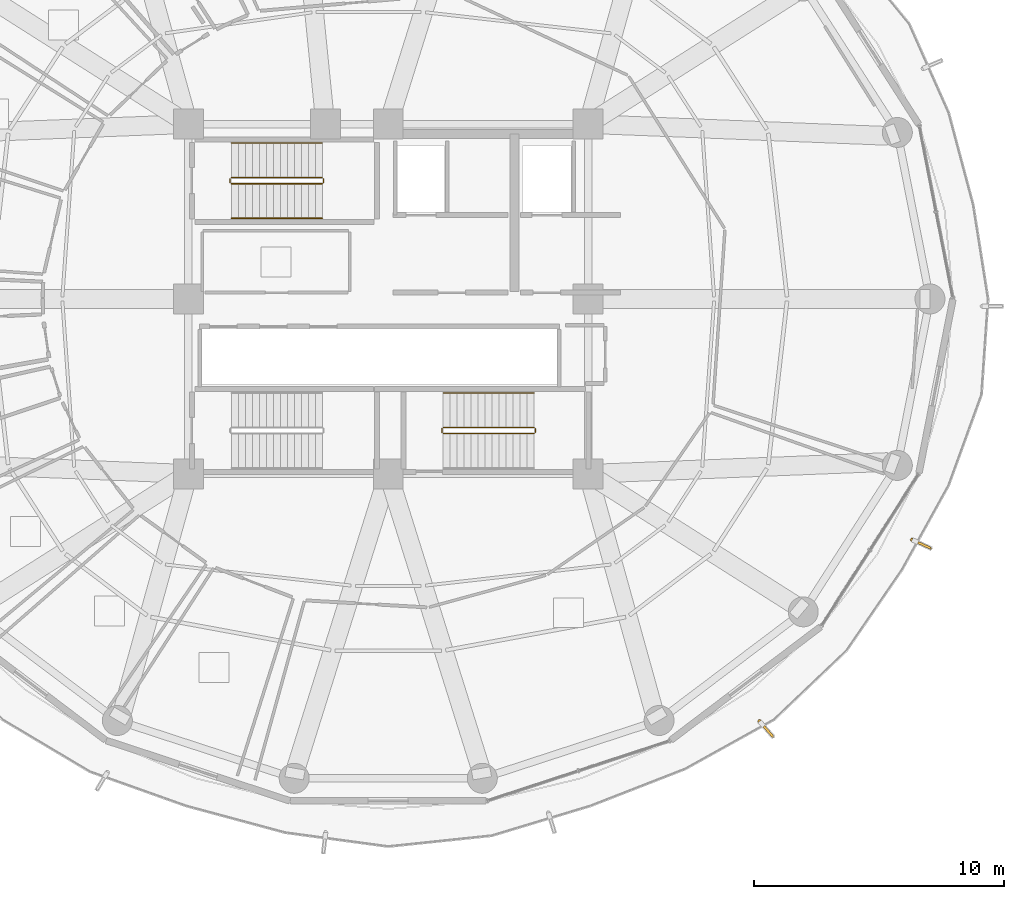
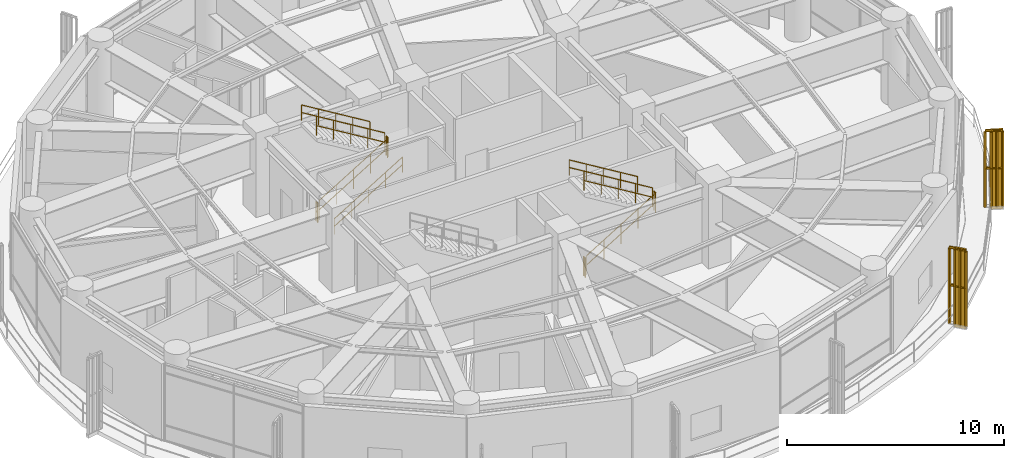
# One storey, part 27 of 28: 13 railings, 2 shading devices.
"""IFC4 building model written with IfcOpenShell, lengths in metres."""

from ifc_helpers import new_model, si_unit, direction, frame, origin, origin_2d, place, context, subcontext, project, spatial, polyline, rectangle, outline, extrude, source, transform, mapped, material, type_object, element, save


model = new_model("IFC4")

# Units and contexts
model_context = context("Model", 3, precision=1e-05, world=origin(), true_north=direction((0.0, 1.0)))
body_context = subcontext(model_context, "Body", "Model", "MODEL_VIEW")
ifc_project = project(units=[si_unit("LENGTHUNIT", "METRE"), si_unit("AREAUNIT", "SQUARE_METRE"), si_unit("VOLUMEUNIT", "CUBIC_METRE"), si_unit("PLANEANGLEUNIT", "RADIAN"), si_unit("MASSUNIT", "GRAM", prefix="KILO")], contexts=[model_context])

# Site, building, storey
site_placement = place(None, origin())
site = spatial("IfcSite", under=ifc_project, at=site_placement, CompositionType="ELEMENT")
building_placement = place(site_placement, origin())
building = spatial("IfcBuilding", under=site, at=building_placement, Name="Kelanora Arch Commons", CompositionType="ELEMENT")
storey_placement = place(building_placement, frame((0.0, 0.0, 184.35009765625)))
storey = spatial("IfcBuildingStorey", under=building, at=storey_placement, Name="L47", CompositionType="ELEMENT", Elevation=184.35009765625)

# Railings
ifc_material_1 = material(Name="Anodised bronze vertical shading fin rib assembly")
railing_type_1 = type_object("IfcRailingType", Name="RAIL-FIN-BRZ", PredefinedType="BALUSTRADE", material=ifc_material_1)
railing_1_placement = place(storey_placement, frame((94.966796875, 48.3623046875, -0.02001953125)))
element("IfcRailing", 1, at=railing_1_placement, inside=storey, type_object=railing_type_1, Name="Sweeping Bronze Vertical Fin Blade L47-00", PredefinedType="BALUSTRADE", context=body_context, shape_type="SweptSolid", body=[
    extrude(outline(polyline([(0.06982421875, 0.0), (0.034912109375, 0.060546875), (-0.034912109375, 0.060546875), (-0.06982421875, 0.0), (-0.034912109375, -0.060546875), (0.034912109375, -0.060546875), (0.06982421875, 0.0)])), frame((0.0, 0.0, 4.2900390625), z_axis=(0.908539111062, -0.417799812914, 0.0), x_axis=(0.417799812914, 0.908539111062, 0.0)), (0.0, 0.0, 1.0), 0.800048828125),
    extrude(outline(polyline([(0.06982421875, 0.0), (0.034912109375, 0.060546875), (-0.034912109375, 0.060546875), (-0.06982421875, 0.0), (-0.034912109375, -0.060546875), (0.034912109375, -0.060546875), (0.06982421875, 0.0)])), frame((0.0, 0.0, 2.18017578125), z_axis=(0.908539111062, -0.417799812914, 0.0), x_axis=(0.417799812914, 0.908539111062, 0.0)), (0.0, 0.0, 1.0), 0.800048828125),
    extrude(outline(polyline([(0.080078125, 0.0), (0.0400390625, 0.0693359375), (-0.0400390625, 0.0693359375), (-0.080078125, 0.0), (-0.0400390625, -0.0693359375), (0.0400390625, -0.0693359375), (0.080078125, 0.0)])), origin(), (0.0, 0.0, 1.0), 4.22021484375),
    extrude(outline(polyline([(0.080078125, 0.0), (0.0400390625, 0.0693359375), (-0.0400390625, 0.0693359375), (-0.080078125, 0.0), (-0.0400390625, -0.0693359375), (0.0400390625, -0.0693359375), (0.080078125, 0.0)])), frame((0.2421875, -0.111328125, 0.0)), (0.0, 0.0, 1.0), 4.22021484375),
    extrude(outline(polyline([(0.080078125, 0.0), (0.0400390625, 0.0693359375), (-0.0400390625, 0.0693359375), (-0.080078125, 0.0), (-0.0400390625, -0.0693359375), (0.0400390625, -0.0693359375), (0.080078125, 0.0)])), frame((0.484619140625, -0.222900390625, 0.0)), (0.0, 0.0, 1.0), 4.22021484375),
    extrude(outline(polyline([(0.080078125, 0.0), (0.0400390625, 0.0693359375), (-0.0400390625, 0.0693359375), (-0.080078125, 0.0), (-0.0400390625, -0.0693359375), (0.0400390625, -0.0693359375), (0.080078125, 0.0)])), frame((0.726806640625, -0.334228515625, 0.0)), (0.0, 0.0, 1.0), 4.22021484375),
])
railing_2_placement = place(storey_placement, frame((88.859619140625, 41.09326171875, -0.02001953125)))
element("IfcRailing", 2, at=railing_2_placement, inside=storey, type_object=railing_type_1, Name="Sweeping Bronze Vertical Fin Blade L47-14", PredefinedType="BALUSTRADE", context=body_context, shape_type="SweptSolid", body=[
    extrude(outline(polyline([(0.06982421875, 0.0), (0.034912109375, 0.060546875), (-0.034912109375, 0.060546875), (-0.06982421875, 0.0), (-0.034912109375, -0.060546875), (0.034912109375, -0.060546875), (0.06982421875, 0.0)])), frame((0.0, 0.0, 4.2900390625), z_axis=(0.660166792109, -0.751119036237, 0.0), x_axis=(0.751119036237, 0.660166792109, 0.0)), (0.0, 0.0, 1.0), 0.7998046875),
    extrude(outline(polyline([(0.06982421875, 0.0), (0.034912109375, 0.060546875), (-0.034912109375, 0.060546875), (-0.06982421875, 0.0), (-0.034912109375, -0.060546875), (0.034912109375, -0.060546875), (0.06982421875, 0.0)])), frame((0.0, 0.0, 2.18017578125), z_axis=(0.660166792109, -0.751119036237, 0.0), x_axis=(0.751119036237, 0.660166792109, 0.0)), (0.0, 0.0, 1.0), 0.7998046875),
    extrude(outline(polyline([(0.080078125, 0.0), (0.0400390625, 0.0693359375), (-0.0400390625, 0.0693359375), (-0.080078125, 0.0), (-0.0400390625, -0.0693359375), (0.0400390625, -0.0693359375), (0.080078125, 0.0)])), origin(), (0.0, 0.0, 1.0), 4.22021484375),
    extrude(outline(polyline([(0.080078125, 0.0), (0.0400390625, 0.0693359375), (-0.0400390625, 0.0693359375), (-0.080078125, 0.0), (-0.0400390625, -0.0693359375), (0.0400390625, -0.0693359375), (0.080078125, 0.0)])), frame((0.176025390625, -0.2001953125, 0.0)), (0.0, 0.0, 1.0), 4.22021484375),
    extrude(outline(polyline([(0.080078125, 0.0), (0.0400390625, 0.0693359375), (-0.0400390625, 0.0693359375), (-0.080078125, 0.0), (-0.0400390625, -0.0693359375), (0.0400390625, -0.0693359375), (0.080078125, 0.0)])), frame((0.35205078125, -0.400634765625, 0.0)), (0.0, 0.0, 1.0), 4.22021484375),
    extrude(outline(polyline([(0.080078125, 0.0), (0.0400390625, 0.0693359375), (-0.0400390625, 0.0693359375), (-0.080078125, 0.0), (-0.0400390625, -0.0693359375), (0.0400390625, -0.0693359375), (0.080078125, 0.0)])), frame((0.528076171875, -0.600830078125, 0.0)), (0.0, 0.0, 1.0), 4.22021484375),
])
ifc_material_2 = material(Name="Painted steel stair well guard", Category="steel")
railing_type_2 = type_object("IfcRailingType", Name="RAIL-STAIR-GRD", PredefinedType="GUARDRAIL", material=ifc_material_2)
railing_3_placement = place(storey_placement, frame((67.719970703125, 62.610107421875, 0.169921875)))
element("IfcRailing", 3, at=railing_3_placement, inside=storey, type_object=railing_type_2, Name="L47 ST-T1 stair guard 1", PredefinedType="GUARDRAIL", context=body_context, shape_type="SweptSolid", body=[
    extrude(outline(polyline([(0.02392578125, 0.0), (0.011962890625, 0.020751953125), (-0.011962890625, 0.020751953125), (-0.02392578125, 0.0), (-0.011962890625, -0.020751953125), (0.011962890625, -0.020751953125), (0.02392578125, 0.0)])), frame((0.0, 0.0, 1.076171875), z_axis=(0.854800231366, 0.0, 0.518957189425), x_axis=(0.0, 1.0, 0.0)), (0.0, 0.0, 1.0), 4.258544921875),
    extrude(outline(polyline([(0.02392578125, 0.0), (0.011962890625, 0.020751953125), (-0.011962890625, 0.020751953125), (-0.02392578125, 0.0), (-0.011962890625, -0.020751953125), (0.011962890625, -0.020751953125), (0.02392578125, 0.0)])), frame((0.0, 0.0, 0.550048828125), z_axis=(0.854800231366, 0.0, 0.518957189425), x_axis=(0.0, 1.0, 0.0)), (0.0, 0.0, 1.0), 4.258544921875),
    extrude(outline(polyline([(0.02099609375, 0.0), (0.010498046875, 0.01806640625), (-0.010498046875, 0.01806640625), (-0.02099609375, 0.0), (-0.010498046875, -0.01806640625), (0.010498046875, -0.01806640625), (0.02099609375, 0.0)])), origin(), (0.0, 0.0, 1.0), 1.052001953125),
    extrude(outline(polyline([(0.02099609375, 0.0), (0.010498046875, 0.01806640625), (-0.010498046875, 0.01806640625), (-0.02099609375, 0.0), (-0.010498046875, -0.01806640625), (0.010498046875, -0.01806640625), (0.02099609375, 0.0)])), frame((0.91015625, 0.0, 0.552490234375)), (0.0, 0.0, 1.0), 1.052001953125),
    extrude(outline(polyline([(0.02099609375, 0.0), (0.010498046875, 0.01806640625), (-0.010498046875, 0.01806640625), (-0.02099609375, 0.0), (-0.010498046875, -0.01806640625), (0.010498046875, -0.01806640625), (0.02099609375, 0.0)])), frame((1.820068359375, 0.0, 1.10498046875)), (0.0, 0.0, 1.0), 1.052001953125),
    extrude(outline(polyline([(0.02099609375, 0.0), (0.010498046875, 0.01806640625), (-0.010498046875, 0.01806640625), (-0.02099609375, 0.0), (-0.010498046875, -0.01806640625), (0.010498046875, -0.01806640625), (0.02099609375, 0.0)])), frame((2.72998046875, 0.0, 1.657470703125)), (0.0, 0.0, 1.0), 1.052001953125),
    extrude(outline(polyline([(0.02099609375, 0.0), (0.010498046875, 0.01806640625), (-0.010498046875, 0.01806640625), (-0.02099609375, 0.0), (-0.010498046875, -0.01806640625), (0.010498046875, -0.01806640625), (0.02099609375, 0.0)])), frame((3.64013671875, 0.0, 2.2099609375)), (0.0, 0.0, 1.0), 1.052001953125),
])
railing_4_placement = place(storey_placement, frame((71.409912109375, 62.659912109375, 2.3798828125)))
element("IfcRailing", 4, at=railing_4_placement, inside=storey, type_object=railing_type_2, Name="L47 ST-T1 stair guard 2", PredefinedType="GUARDRAIL", context=body_context, shape_type="SweptSolid", body=[
    extrude(outline(polyline([(0.02392578125, 0.0), (0.011962890625, 0.020751953125), (-0.011962890625, 0.020751953125), (-0.02392578125, 0.0), (-0.011962890625, -0.020751953125), (0.011962890625, -0.020751953125), (0.02392578125, 0.0)])), frame((0.0, 0.0, 1.076171875), z_axis=(0.0, 1.0, 0.0), x_axis=(-1.0, 0.0, 0.0)), (0.0, 0.0, 1.0), 0.150146484375),
    extrude(outline(polyline([(0.02392578125, 0.0), (0.011962890625, 0.020751953125), (-0.011962890625, 0.020751953125), (-0.02392578125, 0.0), (-0.011962890625, -0.020751953125), (0.011962890625, -0.020751953125), (0.02392578125, 0.0)])), frame((0.0, 0.0, 0.550048828125), z_axis=(0.0, 1.0, 0.0), x_axis=(-1.0, 0.0, 0.0)), (0.0, 0.0, 1.0), 0.150146484375),
    extrude(outline(polyline([(0.02099609375, 0.0), (0.010498046875, 0.01806640625), (-0.010498046875, 0.01806640625), (-0.02099609375, 0.0), (-0.010498046875, -0.01806640625), (0.010498046875, -0.01806640625), (0.02099609375, 0.0)])), origin(), (0.0, 0.0, 1.0), 1.052001953125),
    extrude(outline(polyline([(0.02099609375, 0.0), (0.010498046875, 0.01806640625), (-0.010498046875, 0.01806640625), (-0.02099609375, 0.0), (-0.010498046875, -0.01806640625), (0.010498046875, -0.01806640625), (0.02099609375, 0.0)])), frame((0.0, 0.150146484375, 0.0)), (0.0, 0.0, 1.0), 1.052001953125),
])
railing_5_placement = place(storey_placement, frame((71.360107421875, 62.860107421875, 2.5498046875)))
element("IfcRailing", 5, at=railing_5_placement, inside=storey, type_object=railing_type_2, Name="L47 ST-T1 stair guard 3", PredefinedType="GUARDRAIL", context=body_context, shape_type="SweptSolid", body=[
    extrude(outline(polyline([(0.02392578125, 0.0), (0.011962890625, 0.020751953125), (-0.011962890625, 0.020751953125), (-0.02392578125, 0.0), (-0.011962890625, -0.020751953125), (0.011962890625, -0.020751953125), (0.02392578125, 0.0)])), frame((0.0, 0.0, 1.076171875), z_axis=(-0.854774798942, 0.0, 0.518999078124), x_axis=(0.0, -1.0, 0.0)), (0.0, 0.0, 1.0), 4.258544921875),
    extrude(outline(polyline([(0.02392578125, 0.0), (0.011962890625, 0.020751953125), (-0.011962890625, 0.020751953125), (-0.02392578125, 0.0), (-0.011962890625, -0.020751953125), (0.011962890625, -0.020751953125), (0.02392578125, 0.0)])), frame((0.0, 0.0, 0.550048828125), z_axis=(-0.854774798942, 0.0, 0.518999078124), x_axis=(0.0, -1.0, 0.0)), (0.0, 0.0, 1.0), 4.258544921875),
    extrude(outline(polyline([(0.02099609375, 0.0), (0.010498046875, 0.01806640625), (-0.010498046875, 0.01806640625), (-0.02099609375, 0.0), (-0.010498046875, -0.01806640625), (0.010498046875, -0.01806640625), (0.02099609375, 0.0)])), origin(), (0.0, 0.0, 1.0), 1.052001953125),
    extrude(outline(polyline([(0.02099609375, 0.0), (0.010498046875, 0.01806640625), (-0.010498046875, 0.01806640625), (-0.02099609375, 0.0), (-0.010498046875, -0.01806640625), (0.010498046875, -0.01806640625), (0.02099609375, 0.0)])), frame((-0.91015625, 0.0, 0.552490234375)), (0.0, 0.0, 1.0), 1.052001953125),
    extrude(outline(polyline([(0.02099609375, 0.0), (0.010498046875, 0.01806640625), (-0.010498046875, 0.01806640625), (-0.02099609375, 0.0), (-0.010498046875, -0.01806640625), (0.010498046875, -0.01806640625), (0.02099609375, 0.0)])), frame((-1.820068359375, 0.0, 1.10498046875)), (0.0, 0.0, 1.0), 1.052001953125),
    extrude(outline(polyline([(0.02099609375, 0.0), (0.010498046875, 0.01806640625), (-0.010498046875, 0.01806640625), (-0.02099609375, 0.0), (-0.010498046875, -0.01806640625), (0.010498046875, -0.01806640625), (0.02099609375, 0.0)])), frame((-2.72998046875, 0.0, 1.65771484375)), (0.0, 0.0, 1.0), 1.052001953125),
    extrude(outline(polyline([(0.02099609375, 0.0), (0.010498046875, 0.01806640625), (-0.010498046875, 0.01806640625), (-0.02099609375, 0.0), (-0.010498046875, -0.01806640625), (0.010498046875, -0.01806640625), (0.02099609375, 0.0)])), frame((-3.64013671875, 0.0, 2.210205078125)), (0.0, 0.0, 1.0), 1.052001953125),
])
railing_6_placement = place(storey_placement, frame((67.669921875, 62.659912109375, 0.0)))
element("IfcRailing", 6, at=railing_6_placement, inside=storey, type_object=railing_type_2, Name="L47 ST-T1 stair guard 4", PredefinedType="GUARDRAIL", context=body_context, shape_type="SweptSolid", body=[
    extrude(outline(polyline([(0.02392578125, 0.0), (0.011962890625, 0.020751953125), (-0.011962890625, 0.020751953125), (-0.02392578125, 0.0), (-0.011962890625, -0.020751953125), (0.011962890625, -0.020751953125), (0.02392578125, 0.0)])), frame((0.0, 0.0, 1.076171875), z_axis=(0.0, 1.0, 0.0), x_axis=(-1.0, 0.0, 0.0)), (0.0, 0.0, 1.0), 0.150146484375),
    extrude(outline(polyline([(0.02392578125, 0.0), (0.011962890625, 0.020751953125), (-0.011962890625, 0.020751953125), (-0.02392578125, 0.0), (-0.011962890625, -0.020751953125), (0.011962890625, -0.020751953125), (0.02392578125, 0.0)])), frame((0.0, 0.0, 0.550048828125), z_axis=(0.0, 1.0, 0.0), x_axis=(-1.0, 0.0, 0.0)), (0.0, 0.0, 1.0), 0.150146484375),
    extrude(outline(polyline([(0.02099609375, 0.0), (0.010498046875, 0.01806640625), (-0.010498046875, 0.01806640625), (-0.02099609375, 0.0), (-0.010498046875, -0.01806640625), (0.010498046875, -0.01806640625), (0.02099609375, 0.0)])), origin(), (0.0, 0.0, 1.0), 1.052001953125),
    extrude(outline(polyline([(0.02099609375, 0.0), (0.010498046875, 0.01806640625), (-0.010498046875, 0.01806640625), (-0.02099609375, 0.0), (-0.010498046875, -0.01806640625), (0.010498046875, -0.01806640625), (0.02099609375, 0.0)])), frame((0.0, 0.150146484375, 0.0)), (0.0, 0.0, 1.0), 1.052001953125),
])
railing_7_placement = place(storey_placement, frame((76.199951171875, 52.610107421875, 0.169921875)))
element("IfcRailing", 7, at=railing_7_placement, inside=storey, type_object=railing_type_2, Name="L47 ST-T2 stair guard 1", PredefinedType="GUARDRAIL", context=body_context, shape_type="SweptSolid", body=[
    extrude(outline(polyline([(0.02392578125, 0.0), (0.011962890625, 0.020751953125), (-0.011962890625, 0.020751953125), (-0.02392578125, 0.0), (-0.011962890625, -0.020751953125), (0.011962890625, -0.020751953125), (0.02392578125, 0.0)])), frame((0.0, 0.0, 1.076171875), z_axis=(0.854800231366, 0.0, 0.518957189425), x_axis=(0.0, 1.0, 0.0)), (0.0, 0.0, 1.0), 4.258544921875),
    extrude(outline(polyline([(0.02392578125, 0.0), (0.011962890625, 0.020751953125), (-0.011962890625, 0.020751953125), (-0.02392578125, 0.0), (-0.011962890625, -0.020751953125), (0.011962890625, -0.020751953125), (0.02392578125, 0.0)])), frame((0.0, 0.0, 0.550048828125), z_axis=(0.854800231366, 0.0, 0.518957189425), x_axis=(0.0, 1.0, 0.0)), (0.0, 0.0, 1.0), 4.258544921875),
    extrude(outline(polyline([(0.02099609375, 0.0), (0.010498046875, 0.01806640625), (-0.010498046875, 0.01806640625), (-0.02099609375, 0.0), (-0.010498046875, -0.01806640625), (0.010498046875, -0.01806640625), (0.02099609375, 0.0)])), origin(), (0.0, 0.0, 1.0), 1.052001953125),
    extrude(outline(polyline([(0.02099609375, 0.0), (0.010498046875, 0.01806640625), (-0.010498046875, 0.01806640625), (-0.02099609375, 0.0), (-0.010498046875, -0.01806640625), (0.010498046875, -0.01806640625), (0.02099609375, 0.0)])), frame((0.91015625, 0.0, 0.552490234375)), (0.0, 0.0, 1.0), 1.052001953125),
    extrude(outline(polyline([(0.02099609375, 0.0), (0.010498046875, 0.01806640625), (-0.010498046875, 0.01806640625), (-0.02099609375, 0.0), (-0.010498046875, -0.01806640625), (0.010498046875, -0.01806640625), (0.02099609375, 0.0)])), frame((1.820068359375, 0.0, 1.10498046875)), (0.0, 0.0, 1.0), 1.052001953125),
    extrude(outline(polyline([(0.02099609375, 0.0), (0.010498046875, 0.01806640625), (-0.010498046875, 0.01806640625), (-0.02099609375, 0.0), (-0.010498046875, -0.01806640625), (0.010498046875, -0.01806640625), (0.02099609375, 0.0)])), frame((2.72998046875, 0.0, 1.657470703125)), (0.0, 0.0, 1.0), 1.052001953125),
    extrude(outline(polyline([(0.02099609375, 0.0), (0.010498046875, 0.01806640625), (-0.010498046875, 0.01806640625), (-0.02099609375, 0.0), (-0.010498046875, -0.01806640625), (0.010498046875, -0.01806640625), (0.02099609375, 0.0)])), frame((3.64013671875, 0.0, 2.2099609375)), (0.0, 0.0, 1.0), 1.052001953125),
])
railing_8_placement = place(storey_placement, frame((79.889892578125, 52.659912109375, 2.3798828125)))
element("IfcRailing", 8, at=railing_8_placement, inside=storey, type_object=railing_type_2, Name="L47 ST-T2 stair guard 2", PredefinedType="GUARDRAIL", context=body_context, shape_type="SweptSolid", body=[
    extrude(outline(polyline([(0.02392578125, 0.0), (0.011962890625, 0.020751953125), (-0.011962890625, 0.020751953125), (-0.02392578125, 0.0), (-0.011962890625, -0.020751953125), (0.011962890625, -0.020751953125), (0.02392578125, 0.0)])), frame((0.0, 0.0, 1.076171875), z_axis=(0.0, 1.0, 0.0), x_axis=(-1.0, 0.0, 0.0)), (0.0, 0.0, 1.0), 0.150146484375),
    extrude(outline(polyline([(0.02392578125, 0.0), (0.011962890625, 0.020751953125), (-0.011962890625, 0.020751953125), (-0.02392578125, 0.0), (-0.011962890625, -0.020751953125), (0.011962890625, -0.020751953125), (0.02392578125, 0.0)])), frame((0.0, 0.0, 0.550048828125), z_axis=(0.0, 1.0, 0.0), x_axis=(-1.0, 0.0, 0.0)), (0.0, 0.0, 1.0), 0.150146484375),
    extrude(outline(polyline([(0.02099609375, 0.0), (0.010498046875, 0.01806640625), (-0.010498046875, 0.01806640625), (-0.02099609375, 0.0), (-0.010498046875, -0.01806640625), (0.010498046875, -0.01806640625), (0.02099609375, 0.0)])), origin(), (0.0, 0.0, 1.0), 1.052001953125),
    extrude(outline(polyline([(0.02099609375, 0.0), (0.010498046875, 0.01806640625), (-0.010498046875, 0.01806640625), (-0.02099609375, 0.0), (-0.010498046875, -0.01806640625), (0.010498046875, -0.01806640625), (0.02099609375, 0.0)])), frame((0.0, 0.150146484375, 0.0)), (0.0, 0.0, 1.0), 1.052001953125),
])
railing_9_placement = place(storey_placement, frame((79.840087890625, 52.860107421875, 2.5498046875)))
element("IfcRailing", 9, at=railing_9_placement, inside=storey, type_object=railing_type_2, Name="L47 ST-T2 stair guard 3", PredefinedType="GUARDRAIL", context=body_context, shape_type="SweptSolid", body=[
    extrude(outline(polyline([(0.02392578125, 0.0), (0.011962890625, 0.020751953125), (-0.011962890625, 0.020751953125), (-0.02392578125, 0.0), (-0.011962890625, -0.020751953125), (0.011962890625, -0.020751953125), (0.02392578125, 0.0)])), frame((0.0, 0.0, 1.076171875), z_axis=(-0.854774798942, 0.0, 0.518999078124), x_axis=(0.0, -1.0, 0.0)), (0.0, 0.0, 1.0), 4.258544921875),
    extrude(outline(polyline([(0.02392578125, 0.0), (0.011962890625, 0.020751953125), (-0.011962890625, 0.020751953125), (-0.02392578125, 0.0), (-0.011962890625, -0.020751953125), (0.011962890625, -0.020751953125), (0.02392578125, 0.0)])), frame((0.0, 0.0, 0.550048828125), z_axis=(-0.854774798942, 0.0, 0.518999078124), x_axis=(0.0, -1.0, 0.0)), (0.0, 0.0, 1.0), 4.258544921875),
    extrude(outline(polyline([(0.02099609375, 0.0), (0.010498046875, 0.01806640625), (-0.010498046875, 0.01806640625), (-0.02099609375, 0.0), (-0.010498046875, -0.01806640625), (0.010498046875, -0.01806640625), (0.02099609375, 0.0)])), origin(), (0.0, 0.0, 1.0), 1.052001953125),
    extrude(outline(polyline([(0.02099609375, 0.0), (0.010498046875, 0.01806640625), (-0.010498046875, 0.01806640625), (-0.02099609375, 0.0), (-0.010498046875, -0.01806640625), (0.010498046875, -0.01806640625), (0.02099609375, 0.0)])), frame((-0.91015625, 0.0, 0.552490234375)), (0.0, 0.0, 1.0), 1.052001953125),
    extrude(outline(polyline([(0.02099609375, 0.0), (0.010498046875, 0.01806640625), (-0.010498046875, 0.01806640625), (-0.02099609375, 0.0), (-0.010498046875, -0.01806640625), (0.010498046875, -0.01806640625), (0.02099609375, 0.0)])), frame((-1.820068359375, 0.0, 1.10498046875)), (0.0, 0.0, 1.0), 1.052001953125),
    extrude(outline(polyline([(0.02099609375, 0.0), (0.010498046875, 0.01806640625), (-0.010498046875, 0.01806640625), (-0.02099609375, 0.0), (-0.010498046875, -0.01806640625), (0.010498046875, -0.01806640625), (0.02099609375, 0.0)])), frame((-2.72998046875, 0.0, 1.65771484375)), (0.0, 0.0, 1.0), 1.052001953125),
    extrude(outline(polyline([(0.02099609375, 0.0), (0.010498046875, 0.01806640625), (-0.010498046875, 0.01806640625), (-0.02099609375, 0.0), (-0.010498046875, -0.01806640625), (0.010498046875, -0.01806640625), (0.02099609375, 0.0)])), frame((-3.64013671875, 0.0, 2.210205078125)), (0.0, 0.0, 1.0), 1.052001953125),
])
railing_10_placement = place(storey_placement, frame((76.14990234375, 52.659912109375, 0.0)))
element("IfcRailing", 10, at=railing_10_placement, inside=storey, type_object=railing_type_2, Name="L47 ST-T2 stair guard 4", PredefinedType="GUARDRAIL", context=body_context, shape_type="SweptSolid", body=[
    extrude(outline(polyline([(0.02392578125, 0.0), (0.011962890625, 0.020751953125), (-0.011962890625, 0.020751953125), (-0.02392578125, 0.0), (-0.011962890625, -0.020751953125), (0.011962890625, -0.020751953125), (0.02392578125, 0.0)])), frame((0.0, 0.0, 1.076171875), z_axis=(0.0, 1.0, 0.0), x_axis=(-1.0, 0.0, 0.0)), (0.0, 0.0, 1.0), 0.150146484375),
    extrude(outline(polyline([(0.02392578125, 0.0), (0.011962890625, 0.020751953125), (-0.011962890625, 0.020751953125), (-0.02392578125, 0.0), (-0.011962890625, -0.020751953125), (0.011962890625, -0.020751953125), (0.02392578125, 0.0)])), frame((0.0, 0.0, 0.550048828125), z_axis=(0.0, 1.0, 0.0), x_axis=(-1.0, 0.0, 0.0)), (0.0, 0.0, 1.0), 0.150146484375),
    extrude(outline(polyline([(0.02099609375, 0.0), (0.010498046875, 0.01806640625), (-0.010498046875, 0.01806640625), (-0.02099609375, 0.0), (-0.010498046875, -0.01806640625), (0.010498046875, -0.01806640625), (0.02099609375, 0.0)])), origin(), (0.0, 0.0, 1.0), 1.052001953125),
    extrude(outline(polyline([(0.02099609375, 0.0), (0.010498046875, 0.01806640625), (-0.010498046875, 0.01806640625), (-0.02099609375, 0.0), (-0.010498046875, -0.01806640625), (0.010498046875, -0.01806640625), (0.02099609375, 0.0)])), frame((0.0, 0.150146484375, 0.0)), (0.0, 0.0, 1.0), 1.052001953125),
])
ifc_material_3 = material(Name="Brushed stainless steel stair handrail", Category="steel")
railing_type_3 = type_object("IfcRailingType", Name="RAIL-STAIR-HND", PredefinedType="HANDRAIL", material=ifc_material_3)
railing_11_placement = place(storey_placement, frame((67.719970703125, 61.22998046875, 0.169921875)))
element("IfcRailing", 11, at=railing_11_placement, inside=storey, type_object=railing_type_3, Name="L47 ST-T1 stair handrail 1", PredefinedType="HANDRAIL", context=body_context, shape_type="SweptSolid", body=[
    extrude(outline(polyline([(0.02392578125, 0.0), (0.011962890625, 0.020751953125), (-0.011962890625, 0.020751953125), (-0.02392578125, 0.0), (-0.011962890625, -0.020751953125), (0.011962890625, -0.020751953125), (0.02392578125, 0.0)])), frame((0.0, 0.0, 0.8759765625), z_axis=(0.854800231366, 0.0, 0.518957189425), x_axis=(0.0, 1.0, 0.0)), (0.0, 0.0, 1.0), 4.258544921875),
    extrude(outline(polyline([(0.02392578125, 0.0), (0.011962890625, 0.020751953125), (-0.011962890625, 0.020751953125), (-0.02392578125, 0.0), (-0.011962890625, -0.020751953125), (0.011962890625, -0.020751953125), (0.02392578125, 0.0)])), frame((0.0, 0.0, 0.449951171875), z_axis=(0.854800231366, 0.0, 0.518957189425), x_axis=(0.0, 1.0, 0.0)), (0.0, 0.0, 1.0), 4.258544921875),
    extrude(outline(polyline([(0.02099609375, 0.0), (0.010498046875, 0.01806640625), (-0.010498046875, 0.01806640625), (-0.02099609375, 0.0), (-0.010498046875, -0.01806640625), (0.010498046875, -0.01806640625), (0.02099609375, 0.0)])), origin(), (0.0, 0.0, 1.0), 0.851806640625),
    extrude(outline(polyline([(0.02099609375, 0.0), (0.010498046875, 0.01806640625), (-0.010498046875, 0.01806640625), (-0.02099609375, 0.0), (-0.010498046875, -0.01806640625), (0.010498046875, -0.01806640625), (0.02099609375, 0.0)])), frame((0.91015625, 0.0, 0.552490234375)), (0.0, 0.0, 1.0), 0.851806640625),
    extrude(outline(polyline([(0.02099609375, 0.0), (0.010498046875, 0.01806640625), (-0.010498046875, 0.01806640625), (-0.02099609375, 0.0), (-0.010498046875, -0.01806640625), (0.010498046875, -0.01806640625), (0.02099609375, 0.0)])), frame((1.820068359375, 0.0, 1.10498046875)), (0.0, 0.0, 1.0), 0.851806640625),
    extrude(outline(polyline([(0.02099609375, 0.0), (0.010498046875, 0.01806640625), (-0.010498046875, 0.01806640625), (-0.02099609375, 0.0), (-0.010498046875, -0.01806640625), (0.010498046875, -0.01806640625), (0.02099609375, 0.0)])), frame((2.72998046875, 0.0, 1.657470703125)), (0.0, 0.0, 1.0), 0.851806640625),
    extrude(outline(polyline([(0.02099609375, 0.0), (0.010498046875, 0.01806640625), (-0.010498046875, 0.01806640625), (-0.02099609375, 0.0), (-0.010498046875, -0.01806640625), (0.010498046875, -0.01806640625), (0.02099609375, 0.0)])), frame((3.64013671875, 0.0, 2.2099609375)), (0.0, 0.0, 1.0), 0.851806640625),
])
railing_12_placement = place(storey_placement, frame((71.360107421875, 64.239990234375, 2.5498046875)))
element("IfcRailing", 12, at=railing_12_placement, inside=storey, type_object=railing_type_3, Name="L47 ST-T1 stair handrail 2", PredefinedType="HANDRAIL", context=body_context, shape_type="SweptSolid", body=[
    extrude(outline(polyline([(0.02392578125, 0.0), (0.011962890625, 0.020751953125), (-0.011962890625, 0.020751953125), (-0.02392578125, 0.0), (-0.011962890625, -0.020751953125), (0.011962890625, -0.020751953125), (0.02392578125, 0.0)])), frame((0.0, 0.0, 0.8759765625), z_axis=(-0.854774798942, 0.0, 0.518999078124), x_axis=(0.0, -1.0, 0.0)), (0.0, 0.0, 1.0), 4.258544921875),
    extrude(outline(polyline([(0.02392578125, 0.0), (0.011962890625, 0.020751953125), (-0.011962890625, 0.020751953125), (-0.02392578125, 0.0), (-0.011962890625, -0.020751953125), (0.011962890625, -0.020751953125), (0.02392578125, 0.0)])), frame((0.0, 0.0, 0.449951171875), z_axis=(-0.854774798942, 0.0, 0.518999078124), x_axis=(0.0, -1.0, 0.0)), (0.0, 0.0, 1.0), 4.258544921875),
    extrude(outline(polyline([(0.02099609375, 0.0), (0.010498046875, 0.01806640625), (-0.010498046875, 0.01806640625), (-0.02099609375, 0.0), (-0.010498046875, -0.01806640625), (0.010498046875, -0.01806640625), (0.02099609375, 0.0)])), origin(), (0.0, 0.0, 1.0), 0.851806640625),
    extrude(outline(polyline([(0.02099609375, 0.0), (0.010498046875, 0.01806640625), (-0.010498046875, 0.01806640625), (-0.02099609375, 0.0), (-0.010498046875, -0.01806640625), (0.010498046875, -0.01806640625), (0.02099609375, 0.0)])), frame((-0.91015625, 0.0, 0.552490234375)), (0.0, 0.0, 1.0), 0.851806640625),
    extrude(outline(polyline([(0.02099609375, 0.0), (0.010498046875, 0.01806640625), (-0.010498046875, 0.01806640625), (-0.02099609375, 0.0), (-0.010498046875, -0.01806640625), (0.010498046875, -0.01806640625), (0.02099609375, 0.0)])), frame((-1.820068359375, 0.0, 1.10498046875)), (0.0, 0.0, 1.0), 0.851806640625),
    extrude(outline(polyline([(0.02099609375, 0.0), (0.010498046875, 0.01806640625), (-0.010498046875, 0.01806640625), (-0.02099609375, 0.0), (-0.010498046875, -0.01806640625), (0.010498046875, -0.01806640625), (0.02099609375, 0.0)])), frame((-2.72998046875, 0.0, 1.65771484375)), (0.0, 0.0, 1.0), 0.851806640625),
    extrude(outline(polyline([(0.02099609375, 0.0), (0.010498046875, 0.01806640625), (-0.010498046875, 0.01806640625), (-0.02099609375, 0.0), (-0.010498046875, -0.01806640625), (0.010498046875, -0.01806640625), (0.02099609375, 0.0)])), frame((-3.64013671875, 0.0, 2.210205078125)), (0.0, 0.0, 1.0), 0.851806640625),
])
railing_13_placement = place(storey_placement, frame((79.840087890625, 54.239990234375, 2.5498046875)))
element("IfcRailing", 13, at=railing_13_placement, inside=storey, type_object=railing_type_3, Name="L47 ST-T2 stair handrail 2", PredefinedType="HANDRAIL", context=body_context, shape_type="SweptSolid", body=[
    extrude(outline(polyline([(0.02392578125, 0.0), (0.011962890625, 0.020751953125), (-0.011962890625, 0.020751953125), (-0.02392578125, 0.0), (-0.011962890625, -0.020751953125), (0.011962890625, -0.020751953125), (0.02392578125, 0.0)])), frame((0.0, 0.0, 0.8759765625), z_axis=(-0.854774798942, 0.0, 0.518999078124), x_axis=(0.0, -1.0, 0.0)), (0.0, 0.0, 1.0), 4.258544921875),
    extrude(outline(polyline([(0.02392578125, 0.0), (0.011962890625, 0.020751953125), (-0.011962890625, 0.020751953125), (-0.02392578125, 0.0), (-0.011962890625, -0.020751953125), (0.011962890625, -0.020751953125), (0.02392578125, 0.0)])), frame((0.0, 0.0, 0.449951171875), z_axis=(-0.854774798942, 0.0, 0.518999078124), x_axis=(0.0, -1.0, 0.0)), (0.0, 0.0, 1.0), 4.258544921875),
    extrude(outline(polyline([(0.02099609375, 0.0), (0.010498046875, 0.01806640625), (-0.010498046875, 0.01806640625), (-0.02099609375, 0.0), (-0.010498046875, -0.01806640625), (0.010498046875, -0.01806640625), (0.02099609375, 0.0)])), origin(), (0.0, 0.0, 1.0), 0.851806640625),
    extrude(outline(polyline([(0.02099609375, 0.0), (0.010498046875, 0.01806640625), (-0.010498046875, 0.01806640625), (-0.02099609375, 0.0), (-0.010498046875, -0.01806640625), (0.010498046875, -0.01806640625), (0.02099609375, 0.0)])), frame((-0.91015625, 0.0, 0.552490234375)), (0.0, 0.0, 1.0), 0.851806640625),
    extrude(outline(polyline([(0.02099609375, 0.0), (0.010498046875, 0.01806640625), (-0.010498046875, 0.01806640625), (-0.02099609375, 0.0), (-0.010498046875, -0.01806640625), (0.010498046875, -0.01806640625), (0.02099609375, 0.0)])), frame((-1.820068359375, 0.0, 1.10498046875)), (0.0, 0.0, 1.0), 0.851806640625),
    extrude(outline(polyline([(0.02099609375, 0.0), (0.010498046875, 0.01806640625), (-0.010498046875, 0.01806640625), (-0.02099609375, 0.0), (-0.010498046875, -0.01806640625), (0.010498046875, -0.01806640625), (0.02099609375, 0.0)])), frame((-2.72998046875, 0.0, 1.65771484375)), (0.0, 0.0, 1.0), 0.851806640625),
    extrude(outline(polyline([(0.02099609375, 0.0), (0.010498046875, 0.01806640625), (-0.010498046875, 0.01806640625), (-0.02099609375, 0.0), (-0.010498046875, -0.01806640625), (0.010498046875, -0.01806640625), (0.02099609375, 0.0)])), frame((-3.64013671875, 0.0, 2.210205078125)), (0.0, 0.0, 1.0), 0.851806640625),
])

# Shading devices
ifc_material_4 = material(Name="Terracotta ceramic-clad extruded aluminium fin", Category="masonry")
shading_device_type = type_object("IfcShadingDeviceType", Name="SHD-FIN-WAIST", PredefinedType="USERDEFINED", material=ifc_material_4)
shared_shape = source(origin(), body_context, "Body", "SweptSolid", [
    extrude(rectangle(XDim=0.56005859375, YDim=0.090087890625, at=origin_2d()), origin(), (0.0, 0.0, 1.0), 4.47998046875),
])
for number, where, z_axis, x_axis, name in (
    (14, (95.457275390625, 48.13671875, -0.14013671875), (0.0, 0.0, 1.0), (0.908581095252, -0.417708502848, 0.0), "Sweeping Terracotta Fin L47-00"),
    (15, (89.21630859375, 40.687744140625, -0.14013671875), (0.0, 0.0, 1.0), (0.660132778235, -0.75114893004, 0.0), "Sweeping Terracotta Fin L47-14"),
):
    element("IfcShadingDevice", number, at=place(storey_placement, frame(where, z_axis=z_axis, x_axis=x_axis)), inside=storey, type_object=shading_device_type, Name=name, ObjectType="FIN", PredefinedType="USERDEFINED", context=body_context, shape_type="MappedRepresentation", body=[
        mapped(shared_shape, transform((0.0, 0.0, 0.0), scale=1.0)),
    ])

save(model, "model.ifc")
